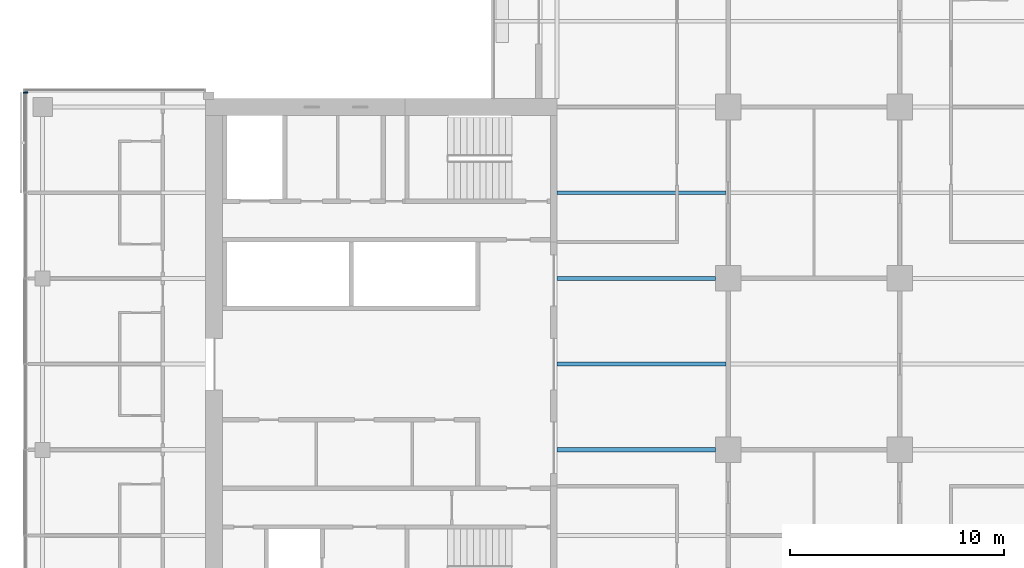
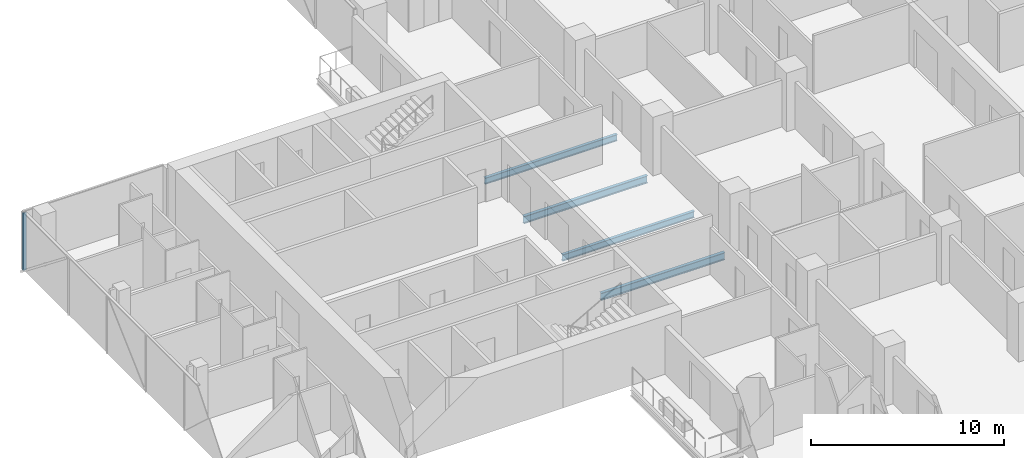
# One storey, part 7 of 27: 4 beams, 1 member, 1 element without a shape of its own.
"""IFC4 building model written with IfcOpenShell, lengths in metres."""

from ifc_helpers import new_model, si_unit, direction, frame, origin, origin_2d, place, context, subcontext, project, spatial, rectangle, i_section, extrude, material, material_profile, profile_set, type_object, element, aggregate, save


model = new_model("IFC4")

# Units and contexts
model_context = context("Model", 3, precision=1e-05, world=origin(), true_north=direction((0.0, 1.0)))
body_context = subcontext(model_context, "Body", "Model", "MODEL_VIEW")
ifc_project = project(units=[si_unit("LENGTHUNIT", "METRE"), si_unit("AREAUNIT", "SQUARE_METRE"), si_unit("VOLUMEUNIT", "CUBIC_METRE"), si_unit("PLANEANGLEUNIT", "RADIAN"), si_unit("MASSUNIT", "GRAM", prefix="KILO")], contexts=[model_context])

# Site, building, storey
site_placement = place(None, origin())
site = spatial("IfcSite", under=ifc_project, at=site_placement, CompositionType="ELEMENT")
building_placement = place(site_placement, origin())
building = spatial("IfcBuilding", under=site, at=building_placement, Name="Crosswind Convention Tower", CompositionType="ELEMENT")
storey_placement = place(building_placement, frame((0.0, 0.0, 72.0)))
storey = spatial("IfcBuildingStorey", under=building, at=storey_placement, Name="L12", CompositionType="ELEMENT", Elevation=72.0)

# Beams
ifc_material_1 = material(Name="Steel S355", Category="steel")
ifc_material_profile_1 = material_profile(ifc_material_1, i_section(OverallWidth=0.19189453125, OverallDepth=0.463623046875, WebThickness=0.010498046875, FlangeThickness=0.017578125, FilletRadius=0.01025390625, at=origin_2d()), Name="UB 457x191x90")
ifc_profile_set_1 = profile_set([ifc_material_profile_1], Name="Steel S355")
beam_type_1 = type_object("IfcBeamType", Name="Girder at core wall UB 457x191x90", PredefinedType="BEAM", material=ifc_profile_set_1)
for number, where, z_axis, x_axis, name in (
    (1, (113.0, 96.0, -0.51171875), (1.0, 0.0, 0.0), (0.0, 1.0, 0.0), "B24 L12 girder at core wall 4"),
    (2, (113.0, 104.0, -0.51171875), (1.0, 0.0, 0.0), (0.0, 1.0, 0.0), "B24 L12 girder at core wall 5"),
):
    element("IfcBeam", number, at=place(storey_placement, frame(where, z_axis=z_axis, x_axis=x_axis)), inside=storey, type_object=beam_type_1, Name=name, PredefinedType="BEAM", context=body_context, shape_type="SweptSolid", body=[
        extrude(i_section(OverallWidth=0.19189453125, OverallDepth=0.463623046875, WebThickness=0.010498046875, FlangeThickness=0.017578125, FilletRadius=0.01025390625, at=origin_2d()), origin(), (0.0, 0.0, 1.0), 7.39990234375),
    ])

# Curtain wall, member
ifc_material_2 = material(Name="Aluminium unitised curtain wall", Category="aluminium")
curtain_wall_type = type_object("IfcCurtainWallType", Name="HOTEL UNITISED WALL 200", PredefinedType="USERDEFINED", material=ifc_material_2)
curtain_wall_placement = place(storey_placement, origin())
curtain_wall = element("IfcCurtainWall", 3, at=curtain_wall_placement, inside=storey, type_object=curtain_wall_type, Name="CW2 L12 W-TIP 1", ObjectType="UNITISED", PredefinedType="USERDEFINED")
ifc_material_3 = material(Name="Aluminium mullion", Category="aluminium")
ifc_material_profile_2 = material_profile(ifc_material_3, rectangle(XDim=0.199951171875, YDim=0.06494140625, at=origin_2d()), Name="AL 200X65")
ifc_profile_set_2 = profile_set([ifc_material_profile_2], Name="Aluminium mullion")
member_type = type_object("IfcMemberType", Name="MULLION 65X200", PredefinedType="MULLION", material=ifc_profile_set_2)
member_placement = place(storey_placement, frame((88.199951171875, 112.66748046875, -0.280029296875), z_axis=(0.0, 0.0, 1.0), x_axis=(-1.0, 0.0, 0.0)))
member = element("IfcMember", 4, at=member_placement, type_object=member_type, Name="CW2 mullion 1", PredefinedType="MULLION", context=body_context, shape_type="SweptSolid", body=[
    extrude(rectangle(XDim=0.199951171875, YDim=0.06494140625, at=origin_2d()), origin(), (0.0, 0.0, 1.0), 3.635009765625),
])
aggregate(curtain_wall, [member])

# Beams
ifc_material_profile_3 = material_profile(ifc_material_1, i_section(OverallWidth=0.177734375, OverallDepth=0.406494140625, WebThickness=0.0078125, FlangeThickness=0.0126953125, FilletRadius=0.01025390625, at=origin_2d()), Name="UB 406x178x60")
ifc_profile_set_3 = profile_set([ifc_material_profile_3], Name="Steel S355")
beam_type_2 = type_object("IfcBeamType", Name="Secondary beam UB 406x178x60", PredefinedType="JOIST", material=ifc_profile_set_3)
for number, where, z_axis, x_axis, name in (
    (5, (113.0, 100.0, -0.483154296875), (1.0, 0.0, 0.0), (0.0, 1.0, 0.0), "B10 L12 secondary beam 5"),
    (6, (113.0, 108.0, -0.483154296875), (1.0, 0.0, 0.0), (0.0, 1.0, 0.0), "B10 L12 secondary beam 6"),
):
    element("IfcBeam", number, at=place(storey_placement, frame(where, z_axis=z_axis, x_axis=x_axis)), inside=storey, type_object=beam_type_2, Name=name, PredefinedType="JOIST", context=body_context, shape_type="SweptSolid", body=[
        extrude(i_section(OverallWidth=0.177734375, OverallDepth=0.406494140625, WebThickness=0.0078125, FlangeThickness=0.0126953125, FilletRadius=0.01025390625, at=origin_2d()), origin(), (0.0, 0.0, 1.0), 7.904296875),
    ])

save(model, "model.ifc")
